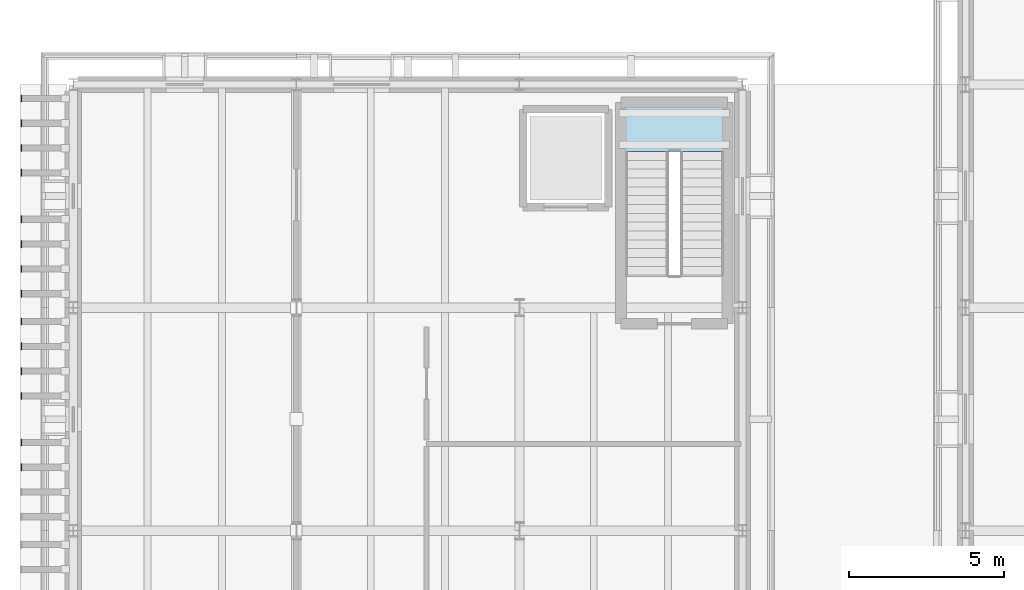
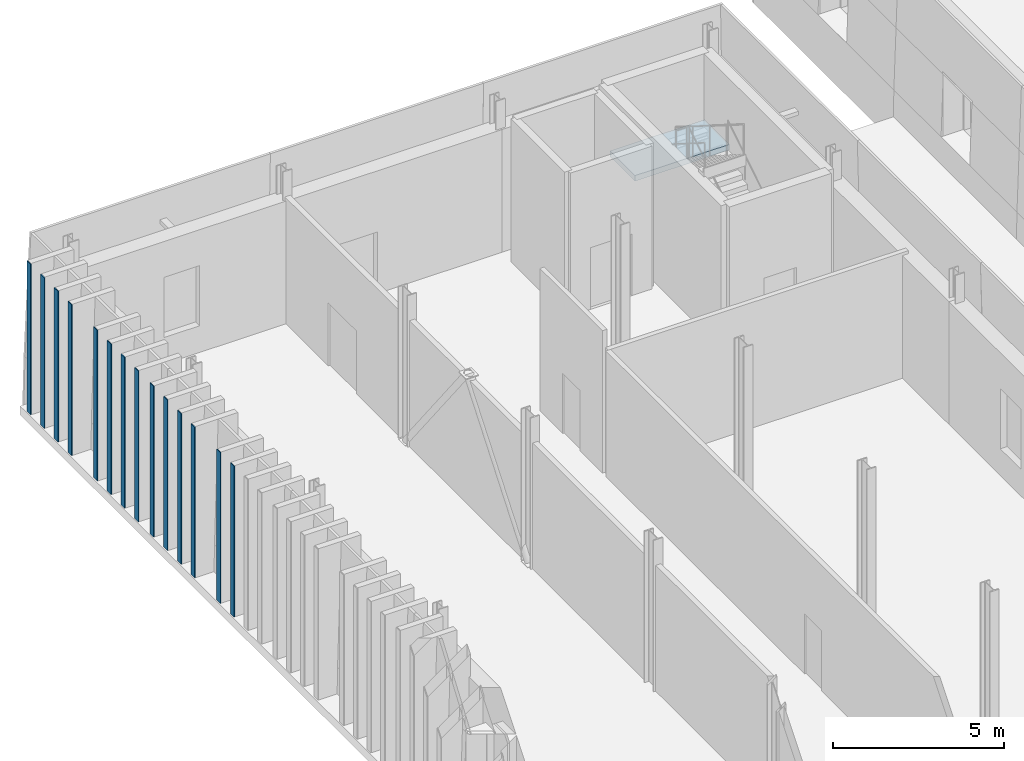
# One storey, part 60 of 120: 14 plates, 1 slab, 1 element without a shape of its own.
"""IFC4 building model written with IfcOpenShell, lengths in metres."""

from ifc_helpers import new_model, si_unit, direction, frame, origin, origin_2d, place, context, subcontext, project, spatial, polyline, rectangle, outline, extrude, material, layer, layer_set, type_object, element, aggregate, save


model = new_model("IFC4")

# Units and contexts
model_context = context("Model", 3, precision=1e-05, world=origin(), true_north=direction((0.0, 1.0)))
body_context = subcontext(model_context, "Body", "Model", "MODEL_VIEW")
ifc_project = project(units=[si_unit("LENGTHUNIT", "METRE"), si_unit("AREAUNIT", "SQUARE_METRE"), si_unit("VOLUMEUNIT", "CUBIC_METRE"), si_unit("PLANEANGLEUNIT", "RADIAN"), si_unit("MASSUNIT", "GRAM", prefix="KILO")], contexts=[model_context])

# Site, building, storey
site_placement = place(None, origin())
site = spatial("IfcSite", under=ifc_project, at=site_placement, CompositionType="ELEMENT")
building_placement = place(site_placement, origin())
building = spatial("IfcBuilding", under=site, at=building_placement, Name="Narikvali Park Central Library", CompositionType="ELEMENT")
storey_placement = place(building_placement, origin())
storey = spatial("IfcBuildingStorey", under=building, at=storey_placement, Name="L00", CompositionType="ELEMENT", Elevation=0.0)

# Stair, slab
ifc_material_1 = material(Name="Concrete C35/45", Category="concrete")
stair_type = type_object("IfcStairType", Name="Core Enclosed Two-Flight Exit Stair", PredefinedType="HALF_TURN_STAIR", material=ifc_material_1)
stair_placement = place(storey_placement, origin())
stair = element("IfcStair", 1, at=stair_placement, inside=storey, type_object=stair_type, Name="L00 Exit Stair ST-10", PredefinedType="HALF_TURN_STAIR")
ifc_layer_1 = layer(ifc_material_1, 0.199951171875, Name="Concrete C35/45")
ifc_layer_set_1 = layer_set([ifc_layer_1], Name="Concrete C35/45")
slab_type = type_object("IfcSlabType", Name="Stair Half-Landing Concrete Slab 200", PredefinedType="LANDING", material=ifc_layer_set_1)
slab_placement = place(storey_placement, frame((0.0, 0.0, 2.5)))
slab = element("IfcSlab", 2, at=slab_placement, type_object=slab_type, Name="ST-10 landing 1", PredefinedType="LANDING", context=body_context, shape_type="SweptSolid", body=[
    extrude(outline(polyline([(21.0, 105.840087890625), (21.0, 107.300048828125), (17.800048828125, 107.300048828125), (17.800048828125, 105.840087890625), (21.0, 105.840087890625)])), origin(), (0.0, 0.0, 1.0), 0.199951171875),
])
aggregate(stair, [slab])

# Plates
ifc_material_2 = material(Name="Anodised Bronze Aluminium", Category="aluminium")
ifc_layer_2 = layer(ifc_material_2, 0.028076171875, Name="Anodised Bronze Aluminium")
ifc_layer_set_2 = layer_set([ifc_layer_2], Name="Anodised Bronze Aluminium")
plate_type = type_object("IfcPlateType", Name="Vertical Brick Fin Bronze Bullnose Cap 28", PredefinedType="SHEET", material=ifc_layer_set_2)
for number, where, z_axis, x_axis, name in (
    (3, (-1.672119140625, 95.64990234375, 0.010009765625), (0.0, 0.0, 1.0), (1.0, 0.0, 0.0), "West Stacks Fin Bullnose Trim 421"),
    (4, (-1.672119140625, 96.449951171875, 0.010009765625), (0.0, 0.0, 1.0), (1.0, 0.0, 0.0), "West Stacks Fin Bullnose Trim 427"),
    (5, (-1.672119140625, 97.949951171875, 0.010009765625), (0.0, 0.0, 1.0), (1.0, 0.0, 0.0), "West Stacks Fin Bullnose Trim 433"),
    (6, (-1.672119140625, 98.75, 0.010009765625), (0.0, 0.0, 1.0), (1.0, 0.0, 0.0), "West Stacks Fin Bullnose Trim 439"),
    (7, (-1.672119140625, 99.550048828125, 0.010009765625), (0.0, 0.0, 1.0), (1.0, 0.0, 0.0), "West Stacks Fin Bullnose Trim 445"),
    (8, (-1.672119140625, 100.35009765625, 0.010009765625), (0.0, 0.0, 1.0), (1.0, 0.0, 0.0), "West Stacks Fin Bullnose Trim 451"),
    (9, (-1.672119140625, 101.25, 0.010009765625), (0.0, 0.0, 1.0), (1.0, 0.0, 0.0), "West Stacks Fin Bullnose Trim 457"),
    (10, (-1.672119140625, 102.050048828125, 0.010009765625), (0.0, 0.0, 1.0), (1.0, 0.0, 0.0), "West Stacks Fin Bullnose Trim 463"),
    (11, (-1.672119140625, 102.85009765625, 0.010009765625), (0.0, 0.0, 1.0), (1.0, 0.0, 0.0), "West Stacks Fin Bullnose Trim 469"),
    (12, (-1.672119140625, 103.64990234375, 0.010009765625), (0.0, 0.0, 1.0), (1.0, 0.0, 0.0), "West Stacks Fin Bullnose Trim 475"),
    (13, (-1.672119140625, 105.14990234375, 0.010009765625), (0.0, 0.0, 1.0), (1.0, 0.0, 0.0), "West Stacks Fin Bullnose Trim 481"),
    (14, (-1.672119140625, 105.949951171875, 0.010009765625), (0.0, 0.0, 1.0), (1.0, 0.0, 0.0), "West Stacks Fin Bullnose Trim 487"),
    (15, (-1.672119140625, 106.75, 0.010009765625), (0.0, 0.0, 1.0), (1.0, 0.0, 0.0), "West Stacks Fin Bullnose Trim 493"),
    (16, (-1.672119140625, 107.550048828125, 0.010009765625), (0.0, 0.0, 1.0), (1.0, 0.0, 0.0), "West Stacks Fin Bullnose Trim 499"),
):
    element("IfcPlate", number, at=place(storey_placement, frame(where, z_axis=z_axis, x_axis=x_axis)), inside=storey, type_object=plate_type, Name=name, PredefinedType="SHEET", context=body_context, shape_type="SweptSolid", body=[
        extrude(rectangle(XDim=0.028076171875, YDim=0.219970703125, at=origin_2d()), origin(), (0.0, 0.0, 1.0), 5.3798828125),
    ])

save(model, "model.ifc")
